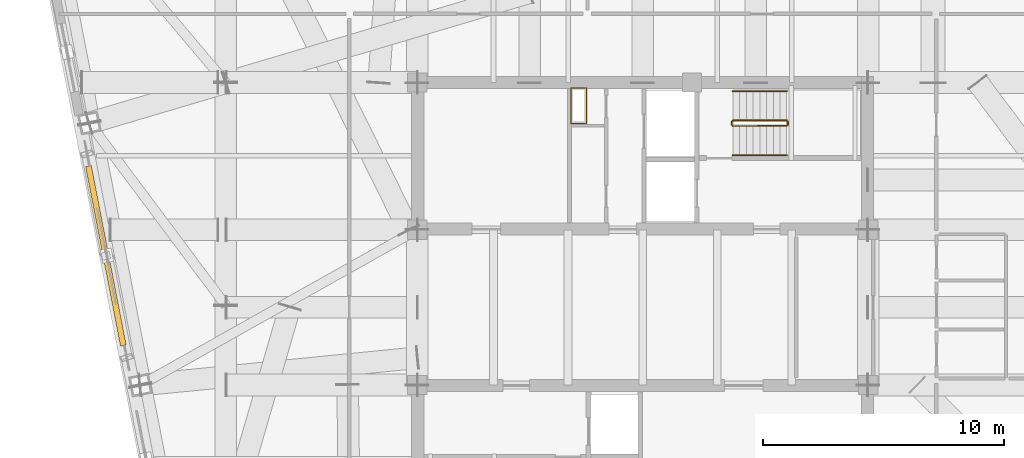
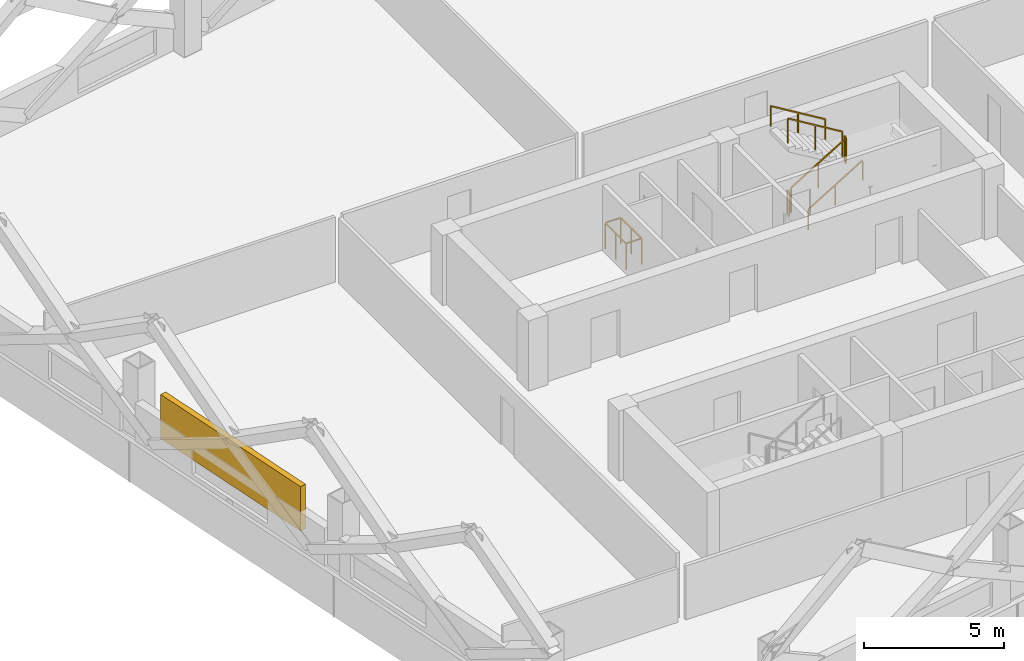
# One storey, part 13 of 14: 7 railings, 1 shading device.
"""IFC4 building model written with IfcOpenShell, lengths in metres."""

from ifc_helpers import new_model, si_unit, direction, frame, origin, origin_2d, place, context, subcontext, project, spatial, rectangle, extrude, material, type_object, element, save


model = new_model("IFC4")

# Units and contexts
model_context = context("Model", 3, precision=1e-05, world=origin(), true_north=direction((0.0, 1.0)))
body_context = subcontext(model_context, "Body", "Model", "MODEL_VIEW")
ifc_project = project(units=[si_unit("LENGTHUNIT", "METRE"), si_unit("AREAUNIT", "SQUARE_METRE"), si_unit("VOLUMEUNIT", "CUBIC_METRE"), si_unit("PLANEANGLEUNIT", "RADIAN"), si_unit("MASSUNIT", "GRAM", prefix="KILO")], contexts=[model_context])

# Site, building, storey
site_placement = place(None, origin())
site = spatial("IfcSite", under=ifc_project, at=site_placement, CompositionType="ELEMENT")
building_placement = place(site_placement, origin())
building = spatial("IfcBuilding", under=site, at=building_placement, Name="Qhalaya Broadcast Tower", CompositionType="ELEMENT")
storey_placement = place(building_placement, frame((0.0, 0.0, 112.800048828125)))
storey = spatial("IfcBuildingStorey", under=building, at=storey_placement, Name="L32", CompositionType="ELEMENT", Elevation=112.800048828125)

# Railings
ifc_material_1 = material(Name="Powder-Coated Galvanised Steel", Category="steel")
railing_type_1 = type_object("IfcRailingType", Name="Stair Wall Handrail 900", PredefinedType="HANDRAIL", material=ifc_material_1)
railing_1_placement = place(storey_placement, frame((3.75, 6.929931640625, 0.16943359375)))
element("IfcRailing", 1, at=railing_1_placement, inside=storey, type_object=railing_type_1, Name="L32 ST-1 Stair Handrail 1", PredefinedType="HANDRAIL", context=body_context, shape_type="SweptSolid", body=[
    extrude(rectangle(XDim=0.048095703125, YDim=0.048095703125, at=origin_2d()), frame((0.0, 0.0, 0.8759765625), z_axis=(0.855553338991, 0.0, 0.51771467445), x_axis=(0.0, 1.0, 0.0)), (0.0, 0.0, 1.0), 2.6181640625),
    extrude(rectangle(XDim=0.0419921875, YDim=0.0419921875, at=origin_2d()), origin(), (0.0, 0.0, 1.0), 0.849853515625),
    extrude(rectangle(XDim=0.0419921875, YDim=0.0419921875, at=origin_2d()), frame((1.1201171875, 0.0, 0.677734375)), (0.0, 0.0, 1.0), 0.849853515625),
    extrude(rectangle(XDim=0.0419921875, YDim=0.0419921875, at=origin_2d()), frame((2.239990234375, 0.0, 1.35546875)), (0.0, 0.0, 1.0), 0.849853515625),
])
railing_2_placement = place(storey_placement, frame((5.989990234375, 9.590087890625, 1.6943359375)))
element("IfcRailing", 2, at=railing_2_placement, inside=storey, type_object=railing_type_1, Name="L32 ST-1 Stair Handrail 2", PredefinedType="HANDRAIL", context=body_context, shape_type="SweptSolid", body=[
    extrude(rectangle(XDim=0.048095703125, YDim=0.048095703125, at=origin_2d()), frame((0.0, 0.0, 0.8759765625), z_axis=(-0.855512035549, 0.0, 0.517782924622), x_axis=(0.0, -1.0, 0.0)), (0.0, 0.0, 1.0), 2.618408203125),
    extrude(rectangle(XDim=0.0419921875, YDim=0.0419921875, at=origin_2d()), origin(), (0.0, 0.0, 1.0), 0.849853515625),
    extrude(rectangle(XDim=0.0419921875, YDim=0.0419921875, at=origin_2d()), frame((-1.1201171875, 0.0, 0.677734375)), (0.0, 0.0, 1.0), 0.849853515625),
    extrude(rectangle(XDim=0.0419921875, YDim=0.0419921875, at=origin_2d()), frame((-2.239990234375, 0.0, 1.355712890625)), (0.0, 0.0, 1.0), 0.849853515625),
])
railing_type_2 = type_object("IfcRailingType", Name="Stair Well & Landing Guardrail 1100", PredefinedType="GUARDRAIL", material=ifc_material_1)
railing_3_placement = place(storey_placement, frame((-2.340087890625, 8.239990234375, 0.0)))
element("IfcRailing", 3, at=railing_3_placement, inside=storey, type_object=railing_type_2, Name="L32 Service Riser Opening Safety Guard NRSR", PredefinedType="GUARDRAIL", context=body_context, shape_type="SweptSolid", body=[
    extrude(rectangle(XDim=0.048095703125, YDim=0.048095703125, at=origin_2d()), frame((0.0, 0.02880859375, 1.1259765625), z_axis=(0.0, 1.0, 0.0), x_axis=(-1.0, 0.0, 0.0)), (0.0, 0.0, 1.0), 1.42236328125),
    extrude(rectangle(XDim=0.048095703125, YDim=0.048095703125, at=origin_2d()), frame((-0.02880859375, 1.47998046875, 1.1259765625), z_axis=(-1.0, 0.0, 0.0), x_axis=(0.0, -1.0, 0.0)), (0.0, 0.0, 1.0), 0.582275390625),
    extrude(rectangle(XDim=0.048095703125, YDim=0.048095703125, at=origin_2d()), frame((-0.639892578125, 1.451171875, 1.1259765625), z_axis=(0.0, -1.0, 0.0), x_axis=(1.0, 0.0, 0.0)), (0.0, 0.0, 1.0), 1.42236328125),
    extrude(rectangle(XDim=0.048095703125, YDim=0.048095703125, at=origin_2d()), frame((-0.611083984375, 0.0, 1.1259765625), z_axis=(1.0, 0.0, 0.0), x_axis=(0.0, 1.0, 0.0)), (0.0, 0.0, 1.0), 0.582275390625),
    extrude(rectangle(XDim=0.0419921875, YDim=0.0419921875, at=origin_2d()), origin(), (0.0, 0.0, 1.0), 1.099853515625),
    extrude(rectangle(XDim=0.0419921875, YDim=0.0419921875, at=origin_2d()), frame((0.0, 0.739990234375, 0.0)), (0.0, 0.0, 1.0), 1.099853515625),
    extrude(rectangle(XDim=0.0419921875, YDim=0.0419921875, at=origin_2d()), frame((0.0, 1.47998046875, 0.0)), (0.0, 0.0, 1.0), 1.099853515625),
    extrude(rectangle(XDim=0.0419921875, YDim=0.0419921875, at=origin_2d()), frame((-0.639892578125, 1.47998046875, 0.0)), (0.0, 0.0, 1.0), 1.099853515625),
    extrude(rectangle(XDim=0.0419921875, YDim=0.0419921875, at=origin_2d()), frame((-0.639892578125, 0.739990234375, 0.0)), (0.0, 0.0, 1.0), 1.099853515625),
    extrude(rectangle(XDim=0.0419921875, YDim=0.0419921875, at=origin_2d()), frame((-0.639892578125, 0.0, 0.0)), (0.0, 0.0, 1.0), 1.099853515625),
])
railing_4_placement = place(storey_placement, frame((3.75, 8.14990234375, 0.16943359375)))
element("IfcRailing", 4, at=railing_4_placement, inside=storey, type_object=railing_type_2, Name="L32 ST-1 Stair Guard 1", PredefinedType="GUARDRAIL", context=body_context, shape_type="SweptSolid", body=[
    extrude(rectangle(XDim=0.048095703125, YDim=0.048095703125, at=origin_2d()), frame((0.0, 0.0, 1.076171875), z_axis=(0.855553338991, 0.0, 0.51771467445), x_axis=(0.0, 1.0, 0.0)), (0.0, 0.0, 1.0), 2.6181640625),
    extrude(rectangle(XDim=0.0419921875, YDim=0.0419921875, at=origin_2d()), origin(), (0.0, 0.0, 1.0), 1.050048828125),
    extrude(rectangle(XDim=0.0419921875, YDim=0.0419921875, at=origin_2d()), frame((1.1201171875, 0.0, 0.677734375)), (0.0, 0.0, 1.0), 1.050048828125),
    extrude(rectangle(XDim=0.0419921875, YDim=0.0419921875, at=origin_2d()), frame((2.239990234375, 0.0, 1.35546875)), (0.0, 0.0, 1.0), 1.050048828125),
])
railing_5_placement = place(storey_placement, frame((6.0400390625, 8.199951171875, 1.52490234375)))
element("IfcRailing", 5, at=railing_5_placement, inside=storey, type_object=railing_type_2, Name="L32 ST-1 Stair Guard 2", PredefinedType="GUARDRAIL", context=body_context, shape_type="SweptSolid", body=[
    extrude(rectangle(XDim=0.048095703125, YDim=0.048095703125, at=origin_2d()), frame((0.0, 0.0, 1.076171875), z_axis=(0.0, 1.0, 0.0), x_axis=(-1.0, 0.0, 0.0)), (0.0, 0.0, 1.0), 0.1201171875),
    extrude(rectangle(XDim=0.0419921875, YDim=0.0419921875, at=origin_2d()), origin(), (0.0, 0.0, 1.0), 1.050048828125),
    extrude(rectangle(XDim=0.0419921875, YDim=0.0419921875, at=origin_2d()), frame((0.0, 0.1201171875, 0.0)), (0.0, 0.0, 1.0), 1.050048828125),
])
railing_6_placement = place(storey_placement, frame((5.989990234375, 8.3701171875, 1.6943359375)))
element("IfcRailing", 6, at=railing_6_placement, inside=storey, type_object=railing_type_2, Name="L32 ST-1 Stair Guard 3", PredefinedType="GUARDRAIL", context=body_context, shape_type="SweptSolid", body=[
    extrude(rectangle(XDim=0.048095703125, YDim=0.048095703125, at=origin_2d()), frame((0.0, 0.0, 1.076171875), z_axis=(-0.855512035549, 0.0, 0.517782924622), x_axis=(0.0, -1.0, 0.0)), (0.0, 0.0, 1.0), 2.618408203125),
    extrude(rectangle(XDim=0.0419921875, YDim=0.0419921875, at=origin_2d()), origin(), (0.0, 0.0, 1.0), 1.050048828125),
    extrude(rectangle(XDim=0.0419921875, YDim=0.0419921875, at=origin_2d()), frame((-1.1201171875, 0.0, 0.677734375)), (0.0, 0.0, 1.0), 1.050048828125),
    extrude(rectangle(XDim=0.0419921875, YDim=0.0419921875, at=origin_2d()), frame((-2.239990234375, 0.0, 1.355712890625)), (0.0, 0.0, 1.0), 1.050048828125),
])
railing_7_placement = place(storey_placement, frame((3.699951171875, 8.199951171875, 0.0)))
element("IfcRailing", 7, at=railing_7_placement, inside=storey, type_object=railing_type_2, Name="L32 ST-1 Stair Guard 4", PredefinedType="GUARDRAIL", context=body_context, shape_type="SweptSolid", body=[
    extrude(rectangle(XDim=0.048095703125, YDim=0.048095703125, at=origin_2d()), frame((0.0, 0.0, 1.076171875), z_axis=(0.0, 1.0, 0.0), x_axis=(-1.0, 0.0, 0.0)), (0.0, 0.0, 1.0), 0.1201171875),
    extrude(rectangle(XDim=0.0419921875, YDim=0.0419921875, at=origin_2d()), origin(), (0.0, 0.0, 1.0), 1.050048828125),
    extrude(rectangle(XDim=0.0419921875, YDim=0.0419921875, at=origin_2d()), frame((0.0, 0.1201171875, 0.0)), (0.0, 0.0, 1.0), 1.050048828125),
])

# Shading device
ifc_material_2 = material(Name="Fired Architectural Terracotta", Category="masonry")
shading_device_type = type_object("IfcShadingDeviceType", Name="Terracotta Baguette Solar Screen Assembly TBS-01", PredefinedType="USERDEFINED", material=ifc_material_2)
shading_device_placement = place(storey_placement, frame((-22.3125, 2.742919921875, 0.79248046875), z_axis=(0.0, 0.0, 1.0), x_axis=(0.190808995377, -0.981627183448, 0.0)))
element("IfcShadingDevice", 8, at=shading_device_placement, inside=storey, type_object=shading_device_type, Name="L32 Fired Terracotta Baguette Screen W", ObjectType="BAGUETTE", PredefinedType="USERDEFINED", context=body_context, shape_type="SweptSolid", body=[
    extrude(rectangle(XDim=7.60009765625, YDim=0.239990234375, at=origin_2d()), origin(), (0.0, 0.0, 1.0), 1.924072265625),
])

save(model, "model.ifc")
